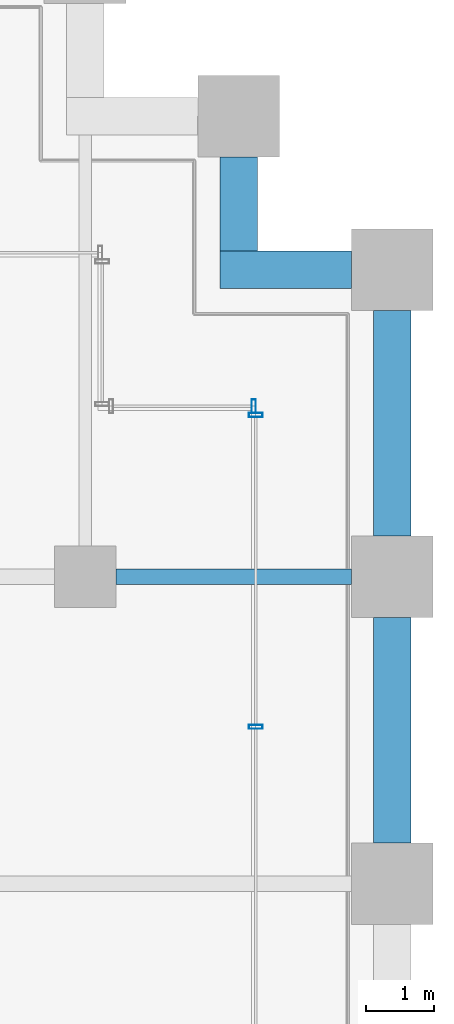
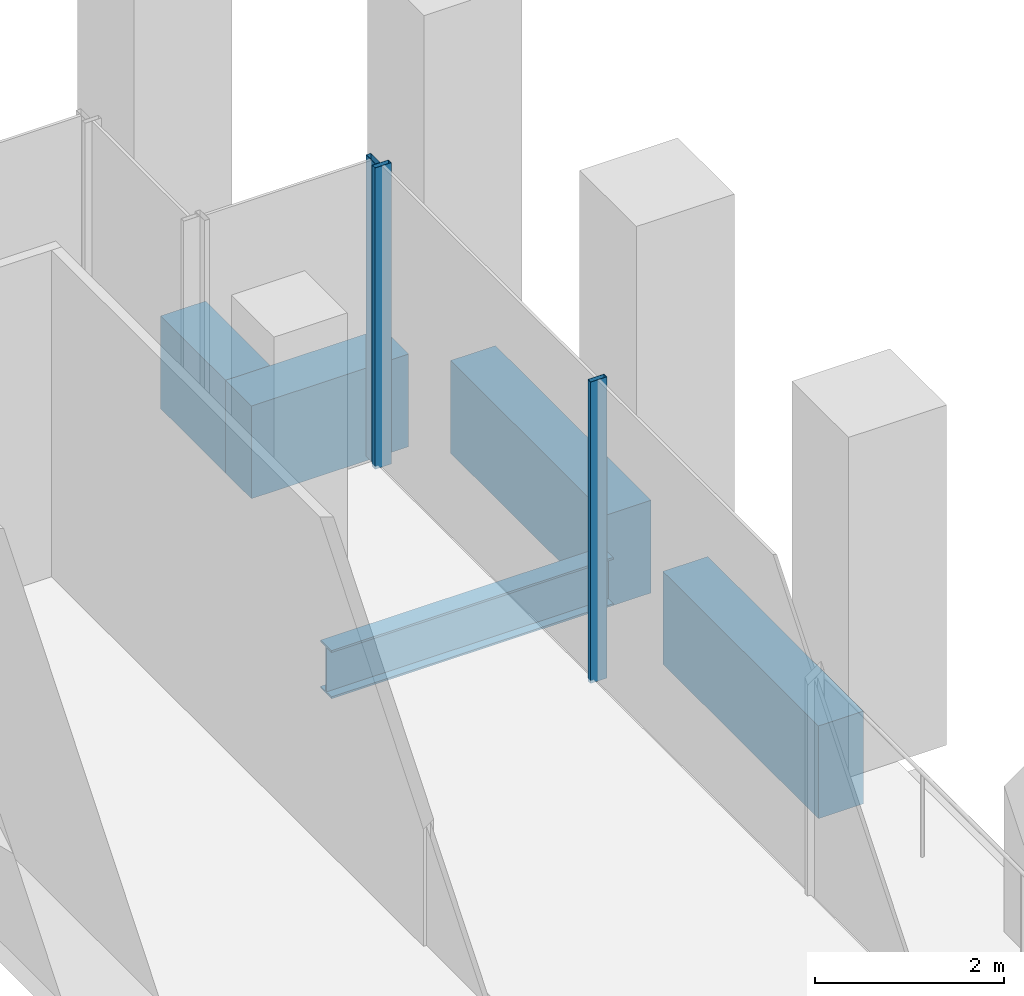
# One storey, part 27 of 36: 5 beams, 3 members, 2 elements without a shape of their own.
"""IFC4 building model written with IfcOpenShell, lengths in metres."""

from ifc_helpers import new_model, si_unit, direction, frame, origin, origin_2d, place, context, subcontext, project, spatial, rectangle, hollow_rectangle, i_section, extrude, material, material_profile, profile_set, type_object, element, aggregate, save


model = new_model("IFC4")

# Units and contexts
model_context = context("Model", 3, precision=1e-05, world=origin(), true_north=direction((0.0, 1.0)))
body_context = subcontext(model_context, "Body", "Model", "MODEL_VIEW")
ifc_project = project(units=[si_unit("LENGTHUNIT", "METRE"), si_unit("AREAUNIT", "SQUARE_METRE"), si_unit("VOLUMEUNIT", "CUBIC_METRE"), si_unit("PLANEANGLEUNIT", "RADIAN"), si_unit("MASSUNIT", "GRAM", prefix="KILO")], contexts=[model_context])

# Site, building, storey
site_placement = place(None, origin())
site = spatial("IfcSite", under=ifc_project, at=site_placement, CompositionType="ELEMENT")
building_placement = place(site_placement, origin())
building = spatial("IfcBuilding", under=site, at=building_placement, Name="Altepetl Exchange Towers", CompositionType="ELEMENT")
storey_placement = place(building_placement, frame((0.0, 0.0, 25.39990234375)))
storey = spatial("IfcBuildingStorey", under=building, at=storey_placement, Name="L05", CompositionType="ELEMENT", Elevation=25.39990234375)

# Beam
ifc_material_1 = material(Name="Steel S355", Category="steel")
ifc_material_profile_1 = material_profile(ifc_material_1, i_section(OverallWidth=0.22900390625, OverallDepth=0.623046875, WebThickness=0.013916015625, FlangeThickness=0.02490234375, at=origin_2d()), Name="W24X103")
ifc_profile_set_1 = profile_set([ifc_material_profile_1], Name="Steel S355")
beam_type_1 = type_object("IfcBeamType", Name="Girder W24X103", PredefinedType="BEAM", material=ifc_profile_set_1)
beam_1_placement = place(storey_placement, frame((121.949951171875, 49.5, -0.486328125), z_axis=(1.0, 0.0, 0.0), x_axis=(0.0, 1.0, 0.0)))
element("IfcBeam", 1, at=beam_1_placement, inside=storey, type_object=beam_type_1, Name="gd:B:L05:001", PredefinedType="BEAM", context=body_context, shape_type="SweptSolid", body=[
    extrude(i_section(OverallWidth=0.22900390625, OverallDepth=0.623046875, WebThickness=0.013916015625, FlangeThickness=0.02490234375, at=origin_2d()), origin(), (0.0, 0.0, 1.0), 3.449951171875),
])

# Curtain wall, members
ifc_material_2 = material(Name="Aluminium 6063-T6 glazing", Category="aluminium")
curtain_wall_type = type_object("IfcCurtainWallType", Name="Trading floor glazing system", PredefinedType="NOTDEFINED", material=ifc_material_2)
curtain_wall_1_placement = place(storey_placement, origin())
curtain_wall_1 = element("IfcCurtainWall", 2, at=curtain_wall_1_placement, inside=storey, type_object=curtain_wall_type, Name="CW2 run", PredefinedType="NOTDEFINED")
ifc_material_3 = material(Name="Aluminium 6063-T6", Category="aluminium")
ifc_material_profile_2 = material_profile(ifc_material_3, hollow_rectangle(XDim=0.06005859375, YDim=0.199951171875, WallThickness=0.0029296875, at=origin_2d()), Name="Mullion 60x200 aluminium")
ifc_profile_set_2 = profile_set([ifc_material_profile_2], Name="Aluminium 6063-T6")
member_type = type_object("IfcMemberType", Name="Mullion 60x200 aluminium", PredefinedType="MULLION", material=ifc_profile_set_2)
member_1_placement = place(storey_placement, frame((124.0, 47.300048828125, 0.0), z_axis=(0.0, 0.0, 1.0), x_axis=(0.0, 1.0, 0.0)))
member_1 = element("IfcMember", 3, at=member_1_placement, type_object=member_type, Name="MU2 mullion", PredefinedType="MULLION", context=body_context, shape_type="SweptSolid", body=[
    extrude(hollow_rectangle(XDim=0.06005859375, YDim=0.199951171875, WallThickness=0.0029296875, at=origin_2d()), origin(), (0.0, 0.0, 1.0), 3.900146484375),
])
member_2_placement = place(storey_placement, frame((124.0, 51.8701171875, 0.0), z_axis=(0.0, 0.0, 1.0), x_axis=(0.0, 1.0, 0.0)))
member_2 = element("IfcMember", 4, at=member_2_placement, type_object=member_type, Name="MU2 mullion", PredefinedType="MULLION", context=body_context, shape_type="SweptSolid", body=[
    extrude(hollow_rectangle(XDim=0.06005859375, YDim=0.199951171875, WallThickness=0.0029296875, at=origin_2d()), origin(), (0.0, 0.0, 1.0), 3.900146484375),
])
aggregate(curtain_wall_1, [member_1, member_2])

# Curtain wall, member
curtain_wall_2_placement = place(storey_placement, origin())
curtain_wall_2 = element("IfcCurtainWall", 5, at=curtain_wall_2_placement, inside=storey, type_object=curtain_wall_type, Name="CW2 run", PredefinedType="NOTDEFINED")
member_3_placement = place(storey_placement, frame((123.969970703125, 52.0, 0.0), z_axis=(0.0, 0.0, 1.0), x_axis=(-1.0, 0.0, 0.0)))
member_3 = element("IfcMember", 6, at=member_3_placement, type_object=member_type, Name="MU2 mullion", PredefinedType="MULLION", context=body_context, shape_type="SweptSolid", body=[
    extrude(hollow_rectangle(XDim=0.06005859375, YDim=0.199951171875, WallThickness=0.0029296875, at=origin_2d()), origin(), (0.0, 0.0, 1.0), 3.900146484375),
])
aggregate(curtain_wall_2, [member_3])

# Beams
ifc_material_4 = material(Name="Concrete C50/60 precast with cantera amarilla facing", Category="concrete")
ifc_material_profile_3 = material_profile(ifc_material_4, rectangle(XDim=0.550048828125, YDim=1.199951171875, at=origin_2d()), Name="550 x 1200")
ifc_profile_set_3 = profile_set([ifc_material_profile_3], Name="Concrete C50/60 precast with cantera amarilla facing")
beam_type_2 = type_object("IfcBeamType", Name="Spandrel beam 550x1200 cantera amarilla", PredefinedType="SPANDREL", material=ifc_profile_set_3)
beam_2_placement = place(storey_placement, frame((126.0, 50.10009765625, -0.77490234375), z_axis=(0.0, 1.0, 0.0), x_axis=(-1.0, 0.0, 0.0)))
element("IfcBeam", 7, at=beam_2_placement, inside=storey, type_object=beam_type_2, Name="sp:B:L05:013", PredefinedType="SPANDREL", context=body_context, shape_type="SweptSolid", body=[
    extrude(rectangle(XDim=0.550048828125, YDim=1.199951171875, at=origin_2d()), origin(), (0.0, 0.0, 1.0), 3.2998046875),
])
beam_3_placement = place(storey_placement, frame((125.39990234375, 54.0, -0.77490234375), z_axis=(-1.0, 0.0, 0.0), x_axis=(0.0, -1.0, 0.0)))
element("IfcBeam", 8, at=beam_3_placement, inside=storey, type_object=beam_type_2, Name="sp:B:L05:014", PredefinedType="SPANDREL", context=body_context, shape_type="SweptSolid", body=[
    extrude(rectangle(XDim=0.550048828125, YDim=1.199951171875, at=origin_2d()), origin(), (0.0, 0.0, 1.0), 1.9248046875),
])
beam_4_placement = place(storey_placement, frame((123.75, 54.27490234375, -0.77490234375), z_axis=(0.0, 1.0, 0.0), x_axis=(-1.0, 0.0, 0.0)))
element("IfcBeam", 9, at=beam_4_placement, inside=storey, type_object=beam_type_2, Name="sp:B:L05:015", PredefinedType="SPANDREL", context=body_context, shape_type="SweptSolid", body=[
    extrude(rectangle(XDim=0.550048828125, YDim=1.199951171875, at=origin_2d()), origin(), (0.0, 0.0, 1.0), 1.375),
])
ifc_material_5 = material(Name="Concrete C50/60 precast with cantera blanca facing", Category="concrete")
ifc_material_profile_4 = material_profile(ifc_material_5, rectangle(XDim=0.550048828125, YDim=1.199951171875, at=origin_2d()), Name="550 x 1200")
ifc_profile_set_4 = profile_set([ifc_material_profile_4], Name="Concrete C50/60 precast with cantera blanca facing")
beam_type_3 = type_object("IfcBeamType", Name="Spandrel beam 550x1200 cantera blanca", PredefinedType="SPANDREL", material=ifc_profile_set_4)
beam_5_placement = place(storey_placement, frame((126.0, 45.60009765625, -0.77490234375), z_axis=(0.0, 1.0, 0.0), x_axis=(-1.0, 0.0, 0.0)))
element("IfcBeam", 10, at=beam_5_placement, inside=storey, type_object=beam_type_3, Name="sp:B:L05:012", PredefinedType="SPANDREL", context=body_context, shape_type="SweptSolid", body=[
    extrude(rectangle(XDim=0.550048828125, YDim=1.199951171875, at=origin_2d()), origin(), (0.0, 0.0, 1.0), 3.2998046875),
])

save(model, "model.ifc")
